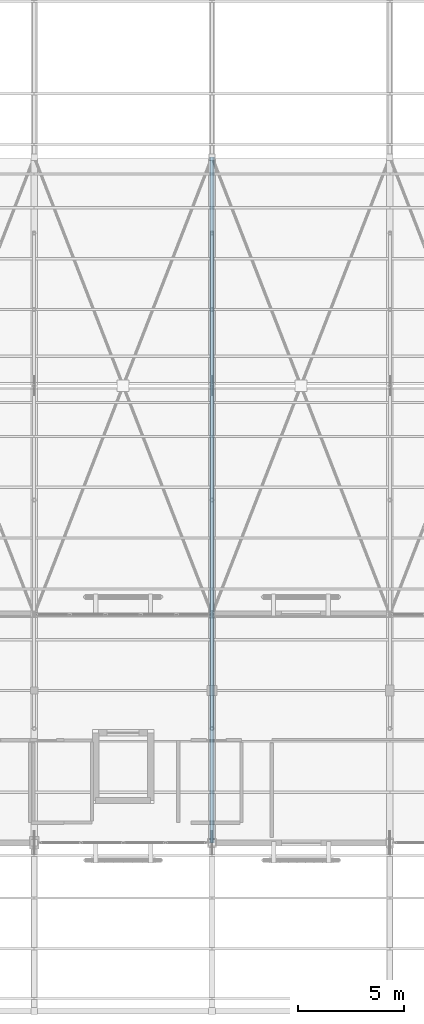
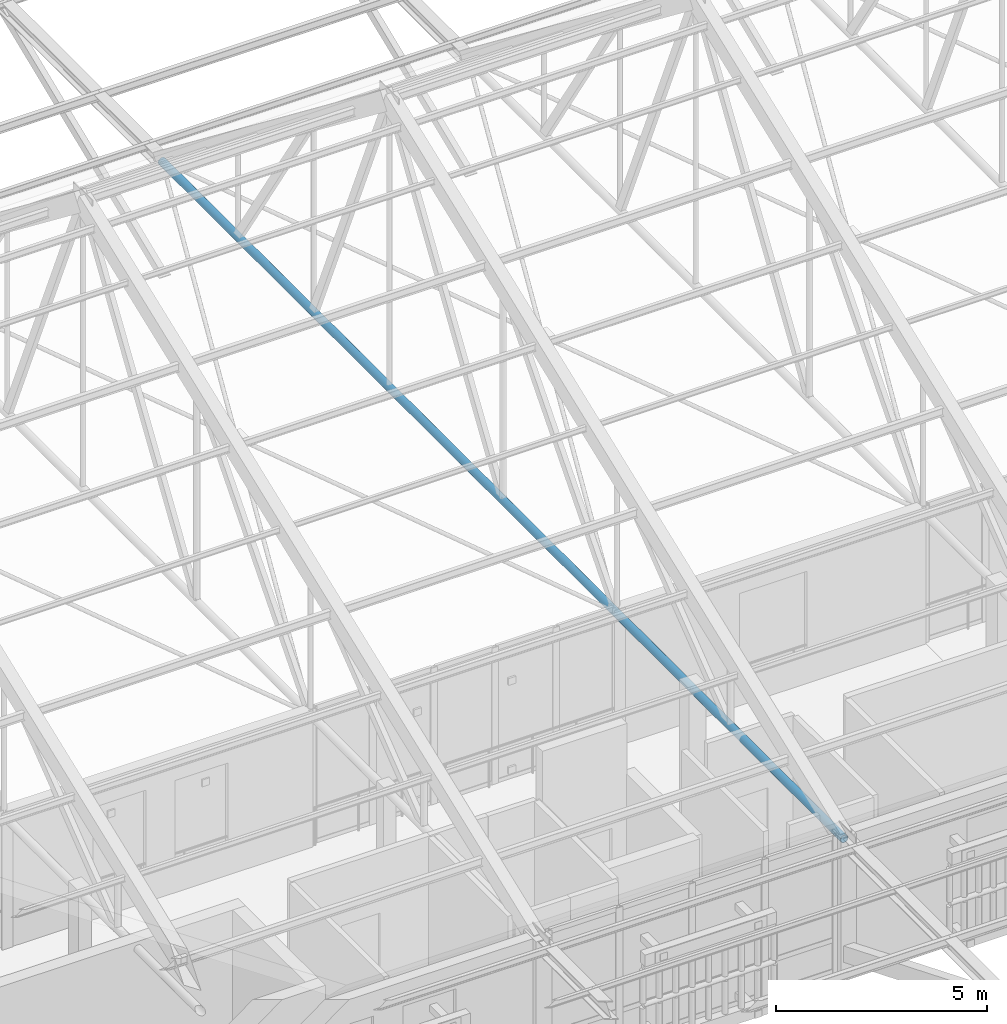
# One storey, part 91 of 217: 1 member.
"""IFC4 building model written with IfcOpenShell, lengths in metres."""

from ifc_helpers import new_model, si_unit, direction, frame, origin, origin_2d, place, context, subcontext, project, spatial, hollow_circle, extrude, material, material_profile, profile_set, type_object, element, save


model = new_model("IFC4")

# Units and contexts
model_context = context("Model", 3, precision=1e-05, world=origin(), true_north=direction((0.0, 1.0)))
body_context = subcontext(model_context, "Body", "Model", "MODEL_VIEW")
ifc_project = project(units=[si_unit("LENGTHUNIT", "METRE"), si_unit("AREAUNIT", "SQUARE_METRE"), si_unit("VOLUMEUNIT", "CUBIC_METRE"), si_unit("PLANEANGLEUNIT", "RADIAN"), si_unit("MASSUNIT", "GRAM", prefix="KILO")], contexts=[model_context])

# Site, building, storey
site_placement = place(None, origin())
site = spatial("IfcSite", under=ifc_project, at=site_placement, CompositionType="ELEMENT")
building_placement = place(site_placement, origin())
building = spatial("IfcBuilding", under=site, at=building_placement, Name="Mazaris Harbour Polytechnic", CompositionType="ELEMENT")
storey_placement = place(building_placement, frame((0.0, 0.0, 9.60009765625)))
storey = spatial("IfcBuildingStorey", under=building, at=storey_placement, Name="L02", CompositionType="ELEMENT", Elevation=9.60009765625)

# Member
ifc_material = material(Name="Steel S355", Category="steel")
ifc_material_profile = material_profile(ifc_material, hollow_circle(Radius=0.109619140625, WallThickness=0.010009765625, at=origin_2d()), Name="CHS 219.1x10.0")
ifc_profile_set = profile_set([ifc_material_profile], Name="Steel S355")
member_type = type_object("IfcMemberType", Name="Steel Tie Chord CHS219", PredefinedType="CHORD", material=ifc_profile_set)
member_placement = place(storey_placement, frame((79.199951171875, 75.60009765625, 3.75), z_axis=(0.0, 1.0, 0.0), x_axis=(-1.0, 0.0, 0.0)))
element("IfcMember", 1, at=member_placement, inside=storey, type_object=member_type, Name="Truss 4 Continuous Tie Chord", PredefinedType="CHORD", context=body_context, shape_type="SweptSolid", body=[
    extrude(hollow_circle(Radius=0.109619140625, WallThickness=0.010009765625, at=origin_2d()), origin(), (0.0, 0.0, 1.0), 32.39990234375),
])

save(model, "model.ifc")
